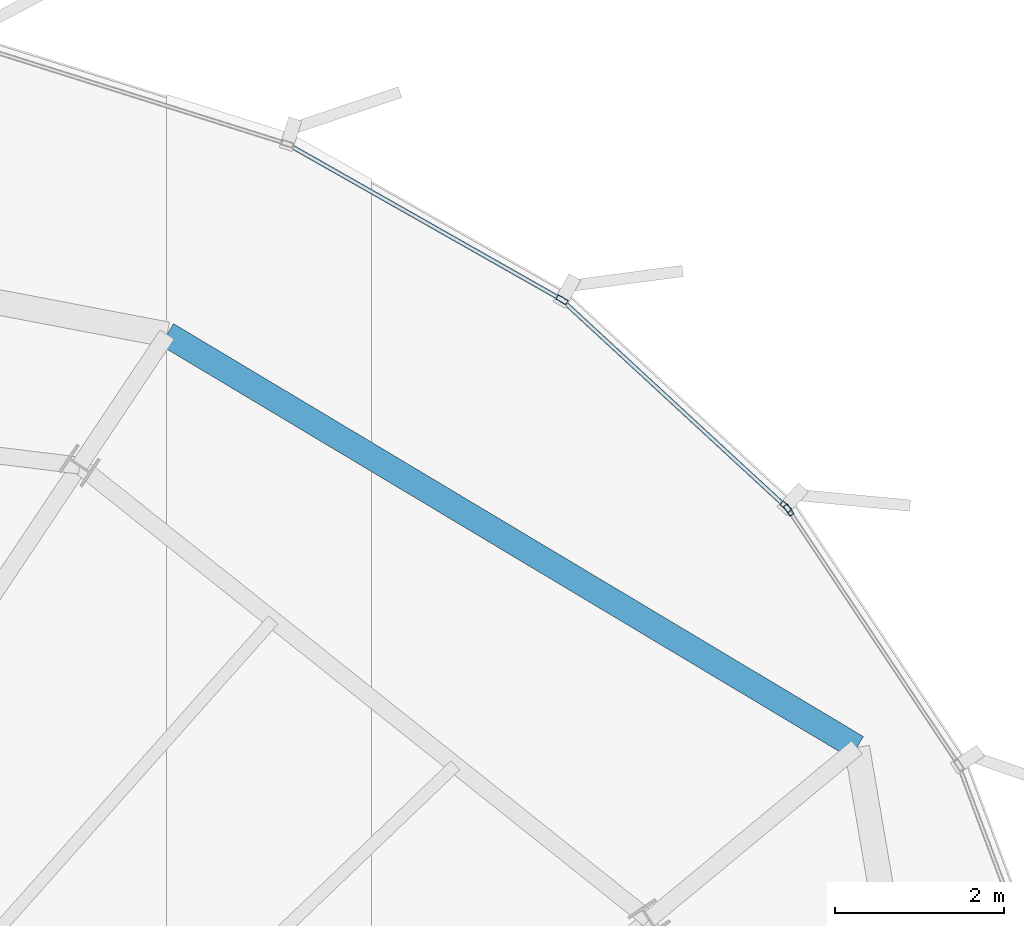
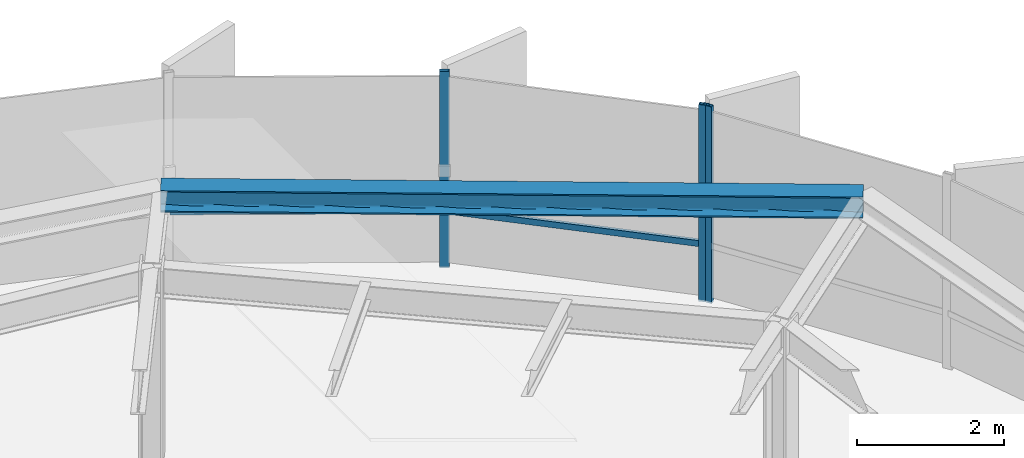
# One storey, part 29 of 36: 5 members, 1 beam, 2 elements without a shape of their own.
"""IFC4 building model written with IfcOpenShell, lengths in metres."""

from ifc_helpers import new_model, si_unit, direction, frame, origin, origin_2d, place, context, subcontext, project, spatial, hollow_rectangle, i_section, extrude, source, transform, mapped, material, layer, layer_set, material_profile, profile_set, type_object, element, aggregate, save


model = new_model("IFC4")

# Units and contexts
model_context = context("Model", 3, precision=1e-05, world=origin(), true_north=direction((0.0, 1.0)))
body_context = subcontext(model_context, "Body", "Model", "MODEL_VIEW")
ifc_project = project(units=[si_unit("LENGTHUNIT", "METRE"), si_unit("AREAUNIT", "SQUARE_METRE"), si_unit("VOLUMEUNIT", "CUBIC_METRE"), si_unit("PLANEANGLEUNIT", "RADIAN"), si_unit("MASSUNIT", "GRAM", prefix="KILO"), si_unit("THERMODYNAMICTEMPERATUREUNIT", "KELVIN")], contexts=[model_context])

# Site, building, storey
site_placement = place(None, origin())
site = spatial("IfcSite", under=ifc_project, at=site_placement, CompositionType="ELEMENT")
building_placement = place(site_placement, origin())
building = spatial("IfcBuilding", under=site, at=building_placement, Name="Kethvar Cultural Tower", CompositionType="ELEMENT")
storey_placement = place(building_placement, frame((0.0, 0.0, 197.39990234375)))
storey = spatial("IfcBuildingStorey", under=building, at=storey_placement, Name="L51", CompositionType="ELEMENT", Elevation=197.39990234375)

# Beam
ifc_material_1 = material(Name="Steel S355J2", Category="steel")
ifc_material_profile_1 = material_profile(ifc_material_1, i_section(OverallWidth=0.300048828125, OverallDepth=0.360107421875, WebThickness=0.012451171875, FlangeThickness=0.0224609375, FilletRadius=0.027099609375, at=origin_2d()), Name="Steel S355J2 — HEB360")
ifc_profile_set_1 = profile_set([ifc_material_profile_1], Name="Steel S355J2 — HEB360")
beam_type = type_object("IfcBeamType", Name="BM-SP360", PredefinedType="SPANDREL", material=ifc_profile_set_1)
shared_shape_1 = source(origin(), body_context, "Body", "SweptSolid", [
    extrude(i_section(OverallWidth=0.300048828125, OverallDepth=0.360107421875, WebThickness=0.012451171875, FlangeThickness=0.0224609375, FilletRadius=0.027099609375, at=origin_2d()), origin(), (0.0, 0.0, 1.0), 9.536376953125),
])
beam_placement = place(storey_placement, frame((67.96923828125, 42.338134765625, 3.078125), z_axis=(-0.858059385716, 0.513550475206, 0.0), x_axis=(-0.513550475206, -0.858059385716, 0.0)))
element("IfcBeam", 1, at=beam_placement, inside=storey, type_object=beam_type, Name="L51 Perimeter Spandrel Beam SP-02", PredefinedType="SPANDREL", context=body_context, shape_type="MappedRepresentation", body=[
    mapped(shared_shape_1, transform((0.0, 0.0, 0.0), scale=1.0)),
])

# Curtain wall, members
ifc_material_2 = material(Name="Aluminium 6063-T6", Category="aluminium")
ifc_layer = layer(ifc_material_2, 0.179931640625, Name="Aluminium 6063-T6", Category="aluminium")
ifc_layer_set = layer_set([ifc_layer], Name="Aluminium 6063-T6 (180 mm)")
curtain_wall_type = type_object("IfcCurtainWallType", Name="CW-SYS-04-Z34", PredefinedType="NOTDEFINED", material=ifc_layer_set)
curtain_wall_1_placement = place(storey_placement, origin())
curtain_wall_1 = element("IfcCurtainWall", 2, at=curtain_wall_1_placement, inside=storey, type_object=curtain_wall_type, Name="L51 Curtain Wall Run 01", PredefinedType="NOTDEFINED")
ifc_material_profile_2 = material_profile(ifc_material_2, hollow_rectangle(XDim=0.06005859375, YDim=0.139892578125, WallThickness=0.0048828125, at=origin_2d()), Name="Aluminium 6063-T6 — RHS140x60x5")
ifc_profile_set_2 = profile_set([ifc_material_profile_2], Name="Aluminium 6063-T6 — RHS140x60x5")
member_type_1 = type_object("IfcMemberType", Name="CW-SYS-04-Z34-MUL", PredefinedType="MULLION", material=ifc_profile_set_2)
shared_shape_2 = source(origin(), body_context, "Body", "SweptSolid", [
    extrude(hollow_rectangle(XDim=0.06005859375, YDim=0.139892578125, WallThickness=0.0048828125, at=origin_2d()), origin(), (0.0, 0.0, 1.0), 3.260009765625),
])
member_1_placement = place(storey_placement, frame((67.12548828125, 45.193359375, 0.0), z_axis=(0.0, 0.0, 1.0), x_axis=(-0.678287926333, -0.734796222766, 0.0)))
member_1 = element("IfcMember", 3, at=member_1_placement, type_object=member_type_1, Name="CW-L51-R01 Mullion 1", PredefinedType="MULLION", context=body_context, shape_type="MappedRepresentation", body=[
    mapped(shared_shape_2, transform((0.0, 0.0, 0.0), scale=1.0)),
])
member_2_placement = place(storey_placement, frame((64.470947265625, 47.647705078125, 0.0), z_axis=(0.0, 0.0, 1.0), x_axis=(-0.493228449658, -0.869899819777, 0.0)))
member_2 = element("IfcMember", 4, at=member_2_placement, type_object=member_type_1, Name="CW-L51-R01 Mullion 2", PredefinedType="MULLION", context=body_context, shape_type="MappedRepresentation", body=[
    mapped(shared_shape_2, transform((0.0, 0.0, 0.0), scale=1.0)),
])

# Curtain wall, member
curtain_wall_2_placement = place(storey_placement, origin())
curtain_wall_2 = element("IfcCurtainWall", 5, at=curtain_wall_2_placement, inside=storey, type_object=curtain_wall_type, Name="L51 Curtain Wall Run 06", PredefinedType="NOTDEFINED")
member_3_placement = place(storey_placement, frame((67.158935546875, 45.154296875, 0.0), z_axis=(0.0, 0.0, 1.0), x_axis=(-0.831857270839, -0.554989622383, 0.0)))
member_3 = element("IfcMember", 6, at=member_3_placement, type_object=member_type_1, Name="CW-L51-R06 Mullion 7", PredefinedType="MULLION", context=body_context, shape_type="MappedRepresentation", body=[
    mapped(shared_shape_2, transform((0.0, 0.0, 0.0), scale=1.0)),
])
aggregate(curtain_wall_2, [member_3])

# Member
ifc_material_profile_3 = material_profile(ifc_material_2, hollow_rectangle(XDim=0.050048828125, YDim=0.10009765625, WallThickness=0.00390625, at=origin_2d()), Name="Aluminium 6063-T6 — RHS100x50x4")
ifc_profile_set_3 = profile_set([ifc_material_profile_3], Name="Aluminium 6063-T6 — RHS100x50x4")
member_type_2 = type_object("IfcMemberType", Name="CW-SYS-04-Z34-TRN", PredefinedType="USERDEFINED", material=ifc_profile_set_3)
shared_shape_3 = source(origin(), body_context, "Body", "SweptSolid", [
    extrude(hollow_rectangle(XDim=0.050048828125, YDim=0.10009765625, WallThickness=0.00390625, at=origin_2d()), origin(), (0.0, 0.0, 1.0), 3.68212890625),
])
member_4_placement = place(storey_placement, frame((64.433349609375, 47.669189453125, 0.9501953125), z_axis=(-0.869898920459, 0.493230035769, 0.0), x_axis=(-0.493230035769, -0.869898920459, 0.0)))
member_4 = element("IfcMember", 7, at=member_4_placement, type_object=member_type_2, Name="CW-L51-R01 Transom 2", ObjectType="TRANSOM", PredefinedType="USERDEFINED", context=body_context, shape_type="MappedRepresentation", body=[
    mapped(shared_shape_3, transform((0.0, 0.0, 0.0), scale=1.0)),
])

shared_shape_4 = source(origin(), body_context, "Body", "SweptSolid", [
    extrude(hollow_rectangle(XDim=0.050048828125, YDim=0.10009765625, WallThickness=0.00390625, at=origin_2d()), origin(), (0.0, 0.0, 1.0), 3.5927734375),
])
member_5_placement = place(storey_placement, frame((67.122314453125, 45.1962890625, 0.9501953125), z_axis=(-0.73477739176, 0.678308325585, 0.0), x_axis=(-0.678308325585, -0.73477739176, 0.0)))
member_5 = element("IfcMember", 8, at=member_5_placement, type_object=member_type_2, Name="CW-L51-R01 Transom 1", ObjectType="TRANSOM", PredefinedType="USERDEFINED", context=body_context, shape_type="MappedRepresentation", body=[
    mapped(shared_shape_4, transform((0.0, 0.0, 0.0), scale=1.0)),
])

aggregate(curtain_wall_1, [member_1, member_2, member_5, member_4])

save(model, "model.ifc")
